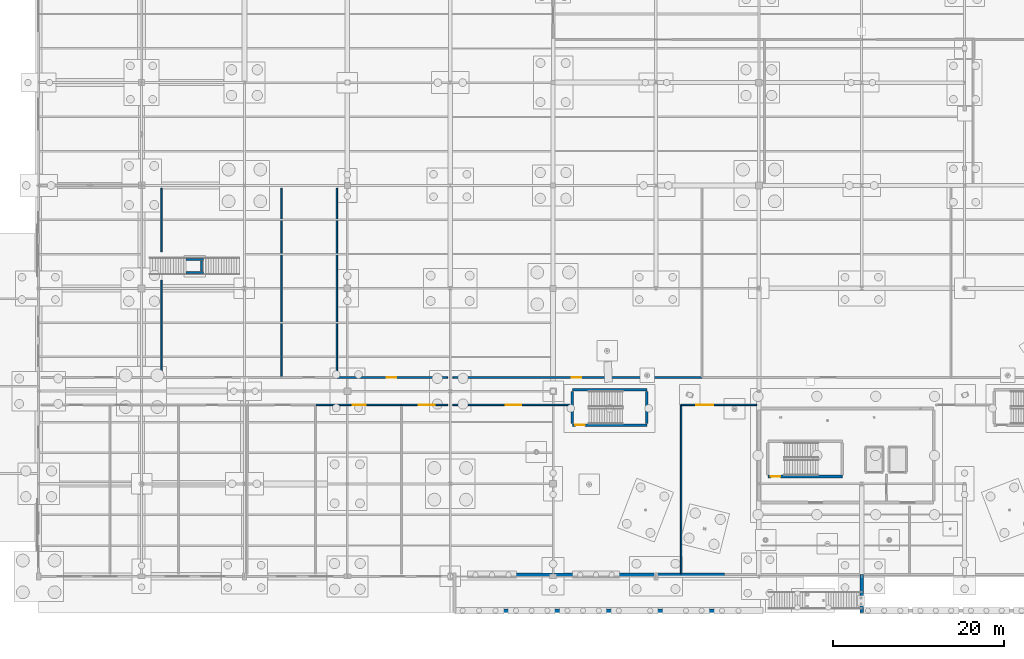
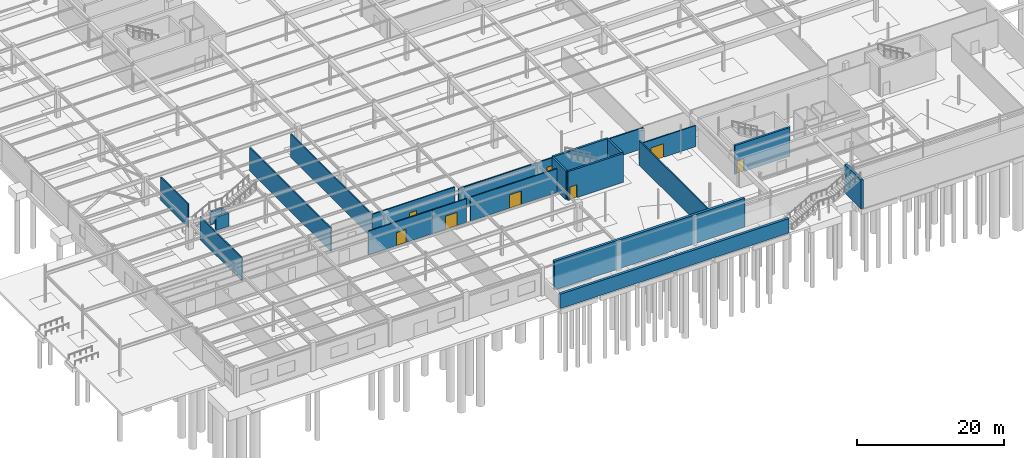
# One storey, part 119 of 136: 22 walls, 8 doors, 8 openings.
"""IFC4 building model written with IfcOpenShell, lengths in metres."""

from ifc_helpers import new_model, si_unit, direction, frame, frame_2d, origin, place, context, subcontext, project, spatial, rectangle, extrude, material, layer, layer_set, type_object, element, fill, save


model = new_model("IFC4")

# Units and contexts
model_context = context("Model", 3, precision=1e-05, world=origin(), true_north=direction((0.0, 1.0)))
body_context = subcontext(model_context, "Body", "Model", "MODEL_VIEW")
ifc_project = project(units=[si_unit("LENGTHUNIT", "METRE"), si_unit("AREAUNIT", "SQUARE_METRE"), si_unit("VOLUMEUNIT", "CUBIC_METRE"), si_unit("PLANEANGLEUNIT", "RADIAN"), si_unit("MASSUNIT", "GRAM", prefix="KILO")], contexts=[model_context])

# Site, building, storey
site_placement = place(None, origin())
site = spatial("IfcSite", under=ifc_project, at=site_placement, CompositionType="ELEMENT")
building_placement = place(site_placement, origin())
building = spatial("IfcBuilding", under=site, at=building_placement, Name="Tarnwether General Hospital", CompositionType="ELEMENT")
storey_placement = place(building_placement, frame((0.0, 0.0, -4.800048828125)))
storey = spatial("IfcBuildingStorey", under=building, at=storey_placement, Name="LG", CompositionType="ELEMENT", Elevation=-4.800048828125)

# Wall, opening, door
ifc_material_1 = material(Name="Gypsum plasterboard")
ifc_layer_1 = layer(ifc_material_1, 0.179931640625)
ifc_layer_set_1 = layer_set([ifc_layer_1], Name="Gypsum plasterboard")
wall_type_1 = type_object("IfcWallType", Name="WL-PT180", PredefinedType="PARTITIONING", material=ifc_layer_set_1)
wall_1_placement = place(storey_placement, frame((32.300048828125, 20.0, 0.0), z_axis=(0.0, 0.0, 1.0), x_axis=(1.0, 0.0, 0.0)))
wall_1 = element("IfcWall", 1, at=wall_1_placement, inside=storey, type_object=wall_type_1, Name="Interior Partition PT-LG-0009", PredefinedType="PARTITIONING", context=body_context, shape_type="SweptSolid", body=[
    extrude(rectangle(XDim=10.0, YDim=0.179931640625, at=frame_2d((5.0, 0.0))), origin(), (0.0, 0.0, 1.0), 3.955078125),
])
opening_1_placement = place(wall_1_placement, frame((4.35009765625, 0.0, 0.0)))
opening_1 = element("IfcOpeningElement", 2, at=opening_1_placement, cuts=wall_1, Name="Opening FD-02", PredefinedType="OPENING", context=body_context, shape_type="SweptSolid", body=[
    extrude(rectangle(XDim=1.52001953125, YDim=2.159912109375, at=frame_2d((0.760009765625, 1.080078125))), frame((0.0, 0.10009765625, 0.0), z_axis=(0.0, -1.0, 0.0), x_axis=(1.0, 0.0, 0.0)), (0.0, 0.0, 1.0), 0.199951171875),
])
ifc_material_2 = material(Name="Anodised aluminium", Category="aluminium")
door_type_1 = type_object("IfcDoorType", Name="DR-FD02", OperationType="NOTDEFINED", PredefinedType="DOOR", material=ifc_material_2)
door_1_placement = place(opening_1_placement, origin())
door_1 = element("IfcDoor", 3, at=door_1_placement, inside=storey, type_object=door_type_1, Name="Interior Door DR-LG-0005", OperationType="SINGLE_SWING_LEFT", OverallHeight=2.159912109375, OverallWidth=1.52001953125, PredefinedType="DOOR", context=body_context, shape_type="SweptSolid", body=[
    extrude(rectangle(XDim=1.52001953125, YDim=2.159912109375, at=frame_2d((0.760009765625, 1.080078125))), frame((0.0, 0.02490234375, 0.0), z_axis=(0.0, -1.0, 0.0), x_axis=(1.0, 0.0, 0.0)), (0.0, 0.0, 1.0), 0.050048828125),
])
fill(opening_1, door_1)

wall_2_placement = place(storey_placement, frame((42.300048828125, 20.0, 0.0), z_axis=(0.0, 0.0, 1.0), x_axis=(1.0, 0.0, 0.0)))
wall_2 = element("IfcWall", 4, at=wall_2_placement, inside=storey, type_object=wall_type_1, Name="Interior Partition PT-LG-0011", PredefinedType="PARTITIONING", context=body_context, shape_type="SweptSolid", body=[
    extrude(rectangle(XDim=5.39990234375, YDim=0.179931640625, at=frame_2d((2.699951171875, 0.0))), origin(), (0.0, 0.0, 1.0), 3.9580078125),
])
opening_2_placement = place(wall_2_placement, frame((2.050048828125, 0.0, 0.0)))
opening_2 = element("IfcOpeningElement", 5, at=opening_2_placement, cuts=wall_2, Name="Opening FD-03", PredefinedType="OPENING", context=body_context, shape_type="SweptSolid", body=[
    extrude(rectangle(XDim=1.840087890625, YDim=2.219970703125, at=frame_2d((0.919921875, 1.10986328125))), frame((0.0, 0.10009765625, 0.0), z_axis=(0.0, -1.0, 0.0), x_axis=(1.0, 0.0, 0.0)), (0.0, 0.0, 1.0), 0.199951171875),
])
ifc_material_3 = material(Name="Anodised aluminium", Category="aluminium")
door_type_2 = type_object("IfcDoorType", Name="DR-FD03", OperationType="NOTDEFINED", PredefinedType="DOOR", material=ifc_material_3)
door_2_placement = place(opening_2_placement, origin())
door_2 = element("IfcDoor", 6, at=door_2_placement, inside=storey, type_object=door_type_2, Name="Interior Door DR-LG-0006", OperationType="DOUBLE_DOOR_SINGLE_SWING", OverallHeight=2.219970703125, OverallWidth=1.840087890625, PredefinedType="DOOR", context=body_context, shape_type="SweptSolid", body=[
    extrude(rectangle(XDim=1.840087890625, YDim=2.219970703125, at=frame_2d((0.919921875, 1.10986328125))), frame((0.0, 0.02490234375, 0.0), z_axis=(0.0, -1.0, 0.0), x_axis=(1.0, 0.0, 0.0)), (0.0, 0.0, 1.0), 0.050048828125),
])
fill(opening_2, door_2)

# Walls
wall_3_placement = place(storey_placement, frame((14.304931640625, 23.199951171875, 0.0), z_axis=(0.0, 0.0, 1.0), x_axis=(0.0, 1.0, 0.0)))
element("IfcWall", 7, at=wall_3_placement, inside=storey, type_object=wall_type_1, Name="Interior Partition PT-LG-0013", PredefinedType="PARTITIONING", context=body_context, shape_type="SweptSolid", body=[
    extrude(rectangle(XDim=11.35009765625, YDim=0.179931640625, at=frame_2d((5.675048828125, 0.0))), origin(), (0.0, 0.0, 1.0), 3.81298828125),
])
wall_4_placement = place(storey_placement, frame((14.304931640625, 37.85009765625, 0.0), z_axis=(0.0, 0.0, 1.0), x_axis=(0.0, 1.0, 0.0)))
element("IfcWall", 8, at=wall_4_placement, inside=storey, type_object=wall_type_1, Name="Interior Partition PT-LG-0014", PredefinedType="PARTITIONING", context=body_context, shape_type="SweptSolid", body=[
    extrude(rectangle(XDim=7.449951171875, YDim=0.179931640625, at=frame_2d((3.72509765625, 0.0))), origin(), (0.0, 0.0, 1.0), 3.882080078125),
])
for number, where, z_axis, x_axis, name in (
    (9, (28.30908203125, 23.199951171875, 0.0), (0.0, 0.0, 1.0), (0.0, 1.0, 0.0), "Interior Partition PT-LG-0016"),
    (10, (34.77294921875, 23.199951171875, 0.0), (0.0, 0.0, 1.0), (0.0, 1.0, 0.0), "Interior Partition PT-LG-0018"),
):
    element("IfcWall", number, at=place(storey_placement, frame(where, z_axis=z_axis, x_axis=x_axis)), inside=storey, type_object=wall_type_1, Name=name, PredefinedType="PARTITIONING", context=body_context, shape_type="SweptSolid", body=[
        extrude(rectangle(XDim=22.10009765625, YDim=0.179931640625, at=frame_2d((11.050048828125, 0.0))), origin(), (0.0, 0.0, 1.0), 3.882080078125),
    ])

# Wall, opening, door
wall_5_placement = place(storey_placement, frame((34.77294921875, 23.199951171875, 0.0), z_axis=(0.0, 0.0, 1.0), x_axis=(1.0, 0.0, 0.0)))
wall_5 = element("IfcWall", 11, at=wall_5_placement, inside=storey, type_object=wall_type_1, Name="Interior Partition PT-LG-0019", PredefinedType="PARTITIONING", context=body_context, shape_type="SweptSolid", body=[
    extrude(rectangle(XDim=12.927001953125, YDim=0.179931640625, at=frame_2d((6.46337890625, 0.0))), origin(), (0.0, 0.0, 1.0), 3.9580078125),
])
opening_3_placement = place(wall_5_placement, frame((5.81396484375, 0.0, 0.0)))
opening_3 = element("IfcOpeningElement", 12, at=opening_3_placement, cuts=wall_5, Name="Opening FD-06", PredefinedType="OPENING", context=body_context, shape_type="SweptSolid", body=[
    extrude(rectangle(XDim=1.10009765625, YDim=2.14990234375, at=frame_2d((0.550048828125, 1.074951171875))), frame((0.0, 0.10009765625, 0.0), z_axis=(0.0, -1.0, 0.0), x_axis=(1.0, 0.0, 0.0)), (0.0, 0.0, 1.0), 0.199951171875),
])
ifc_material_4 = material(Name="Anodised aluminium", Category="aluminium")
door_type_3 = type_object("IfcDoorType", Name="DR-FD06", OperationType="NOTDEFINED", PredefinedType="DOOR", material=ifc_material_4)
door_3_placement = place(opening_3_placement, origin())
door_3 = element("IfcDoor", 13, at=door_3_placement, inside=storey, type_object=door_type_3, Name="Interior Door DR-LG-0010", OperationType="SINGLE_SWING_RIGHT", OverallHeight=2.14990234375, OverallWidth=1.10009765625, PredefinedType="DOOR", context=body_context, shape_type="SweptSolid", body=[
    extrude(rectangle(XDim=1.10009765625, YDim=2.14990234375, at=frame_2d((0.550048828125, 1.074951171875))), frame((0.0, 0.02490234375, 0.0), z_axis=(0.0, -1.0, 0.0), x_axis=(1.0, 0.0, 0.0)), (0.0, 0.0, 1.0), 0.050048828125),
])
fill(opening_3, door_3)

wall_6_placement = place(storey_placement, frame((48.300048828125, 20.0, 0.0), z_axis=(0.0, 0.0, 1.0), x_axis=(1.0, 0.0, 0.0)))
wall_6 = element("IfcWall", 14, at=wall_6_placement, inside=storey, type_object=wall_type_1, Name="Interior Partition PT-LG-0031", PredefinedType="PARTITIONING", context=body_context, shape_type="SweptSolid", body=[
    extrude(rectangle(XDim=13.64990234375, YDim=0.179931640625, at=frame_2d((6.824951171875, 0.0))), origin(), (0.0, 0.0, 1.0), 3.9580078125),
])
opening_4_placement = place(wall_6_placement, frame((6.175048828125, 0.0, 0.0)))
opening_4 = element("IfcOpeningElement", 15, at=opening_4_placement, cuts=wall_6, Name="Opening FD-03", PredefinedType="OPENING", context=body_context, shape_type="SweptSolid", body=[
    extrude(rectangle(XDim=1.840087890625, YDim=2.219970703125, at=frame_2d((0.919921875, 1.10986328125))), frame((0.0, 0.10009765625, 0.0), z_axis=(0.0, -1.0, 0.0), x_axis=(1.0, 0.0, 0.0)), (0.0, 0.0, 1.0), 0.199951171875),
])
door_4_placement = place(opening_4_placement, origin())
door_4 = element("IfcDoor", 16, at=door_4_placement, inside=storey, type_object=door_type_2, Name="Interior Door DR-LG-0018", OperationType="DOUBLE_DOOR_SINGLE_SWING", OverallHeight=2.219970703125, OverallWidth=1.840087890625, PredefinedType="DOOR", context=body_context, shape_type="SweptSolid", body=[
    extrude(rectangle(XDim=1.840087890625, YDim=2.219970703125, at=frame_2d((0.919921875, 1.10986328125))), frame((0.0, 0.02490234375, 0.0), z_axis=(0.0, -1.0, 0.0), x_axis=(1.0, 0.0, 0.0)), (0.0, 0.0, 1.0), 0.050048828125),
])
fill(opening_4, door_4)

# Wall
wall_7_placement = place(storey_placement, frame((74.94189453125, 0.300048828125, 0.0), z_axis=(0.0, 0.0, 1.0), x_axis=(0.0, 1.0, 0.0)))
element("IfcWall", 17, at=wall_7_placement, inside=storey, type_object=wall_type_1, Name="Interior Partition PT-LG-0032", PredefinedType="PARTITIONING", context=body_context, shape_type="SweptSolid", body=[
    extrude(rectangle(XDim=19.699951171875, YDim=0.179931640625, at=frame_2d((9.85009765625, 0.0))), origin(), (0.0, 0.0, 1.0), 4.06494140625),
])

# Wall, opening, door
wall_8_placement = place(storey_placement, frame((74.94189453125, 20.0, 0.0), z_axis=(0.0, 0.0, 1.0), x_axis=(1.0, 0.0, 0.0)))
wall_8 = element("IfcWall", 18, at=wall_8_placement, inside=storey, type_object=wall_type_1, Name="Interior Partition PT-LG-0033", PredefinedType="PARTITIONING", context=body_context, shape_type="SweptSolid", body=[
    extrude(rectangle(XDim=8.80810546875, YDim=0.179931640625, at=frame_2d((4.404052734375, 0.0))), origin(), (0.0, 0.0, 1.0), 3.51513671875),
])
opening_5_placement = place(wall_8_placement, frame((1.77587890625, 0.0, 0.0)))
opening_5 = element("IfcOpeningElement", 19, at=opening_5_placement, cuts=wall_8, Name="Opening FD-04", PredefinedType="OPENING", context=body_context, shape_type="SweptSolid", body=[
    extrude(rectangle(XDim=1.97998046875, YDim=2.260009765625, at=frame_2d((0.989990234375, 1.1298828125))), frame((0.0, 0.10009765625, 0.0), z_axis=(0.0, -1.0, 0.0), x_axis=(1.0, 0.0, 0.0)), (0.0, 0.0, 1.0), 0.199951171875),
])
ifc_material_5 = material(Name="Anodised aluminium", Category="aluminium")
door_type_4 = type_object("IfcDoorType", Name="DR-FD04", OperationType="NOTDEFINED", PredefinedType="DOOR", material=ifc_material_5)
door_5_placement = place(opening_5_placement, origin())
door_5 = element("IfcDoor", 20, at=door_5_placement, inside=storey, type_object=door_type_4, Name="Interior Door DR-LG-0019", OperationType="DOUBLE_DOOR_SINGLE_SWING", OverallHeight=2.260009765625, OverallWidth=1.97998046875, PredefinedType="DOOR", context=body_context, shape_type="SweptSolid", body=[
    extrude(rectangle(XDim=1.97998046875, YDim=2.260009765625, at=frame_2d((0.989990234375, 1.1298828125))), frame((0.0, 0.02490234375, 0.0), z_axis=(0.0, -1.0, 0.0), x_axis=(1.0, 0.0, 0.0)), (0.0, 0.0, 1.0), 0.050048828125),
])
fill(opening_5, door_5)

wall_9_placement = place(storey_placement, frame((48.300048828125, 23.199951171875, 0.0), z_axis=(0.0, 0.0, 1.0), x_axis=(1.0, 0.0, 0.0)))
wall_9 = element("IfcWall", 21, at=wall_9_placement, inside=storey, type_object=wall_type_1, Name="Interior Partition PT-LG-0038", PredefinedType="PARTITIONING", context=body_context, shape_type="SweptSolid", body=[
    extrude(rectangle(XDim=29.050048828125, YDim=0.179931640625, at=frame_2d((14.52490234375, 0.0))), origin(), (0.0, 0.0, 1.0), 3.465087890625),
])
opening_6_placement = place(wall_9_placement, frame((13.875, 0.0, 0.0)))
opening_6 = element("IfcOpeningElement", 22, at=opening_6_placement, cuts=wall_9, Name="Opening FD-06", PredefinedType="OPENING", context=body_context, shape_type="SweptSolid", body=[
    extrude(rectangle(XDim=1.10009765625, YDim=2.14990234375, at=frame_2d((0.550048828125, 1.074951171875))), frame((0.0, 0.10009765625, 0.0), z_axis=(0.0, -1.0, 0.0), x_axis=(1.0, 0.0, 0.0)), (0.0, 0.0, 1.0), 0.199951171875),
])
door_6_placement = place(opening_6_placement, origin())
door_6 = element("IfcDoor", 23, at=door_6_placement, inside=storey, type_object=door_type_3, Name="Interior Door DR-LG-0022", OperationType="SINGLE_SWING_RIGHT", OverallHeight=2.14990234375, OverallWidth=1.10009765625, PredefinedType="DOOR", context=body_context, shape_type="SweptSolid", body=[
    extrude(rectangle(XDim=1.10009765625, YDim=2.14990234375, at=frame_2d((0.550048828125, 1.074951171875))), frame((0.0, 0.02490234375, 0.0), z_axis=(0.0, -1.0, 0.0), x_axis=(1.0, 0.0, 0.0)), (0.0, 0.0, 1.0), 0.050048828125),
])
fill(opening_6, door_6)

# Walls
ifc_material_6 = material(Name="Concrete 40 MPa", Category="concrete")
ifc_layer_2 = layer(ifc_material_6, 0.39990234375)
ifc_layer_set_2 = layer_set([ifc_layer_2], Name="Concrete 40 MPa")
wall_type_2 = type_object("IfcWallType", Name="WL-RW400", PredefinedType="USERDEFINED", material=ifc_layer_set_2)
wall_10_placement = place(storey_placement, frame((50.0, 0.199951171875, 0.0), z_axis=(0.0, 0.0, 1.0), x_axis=(1.0, 0.0, 0.0)))
element("IfcWall", 24, at=wall_10_placement, inside=storey, type_object=wall_type_2, Name="Scarp Retaining Wall RW-SOUTH", ObjectType="RETAINING", PredefinedType="USERDEFINED", context=body_context, shape_type="SweptSolid", body=[
    extrude(rectangle(XDim=30.0, YDim=0.39990234375, at=frame_2d((15.0, 0.0))), origin(), (0.0, 0.0, 1.0), 4.800048828125),
])
wall_11_placement = place(storey_placement, frame((96.0, -4.199951171875, 0.0), z_axis=(0.0, 0.0, 1.0), x_axis=(0.0, 1.0, 0.0)))
element("IfcWall", 25, at=wall_11_placement, inside=storey, type_object=wall_type_2, Name="Scarp Retaining Wall RW-STEP96-S", ObjectType="RETAINING", PredefinedType="USERDEFINED", context=body_context, shape_type="SweptSolid", body=[
    extrude(rectangle(XDim=4.39990234375, YDim=0.39990234375, at=frame_2d((2.199951171875, 0.0))), origin(), (0.0, 0.0, 1.0), 4.800048828125),
])
wall_12_placement = place(storey_placement, frame((48.5, -4.0, 0.0), z_axis=(0.0, 0.0, 1.0), x_axis=(1.0, 0.0, 0.0)))
element("IfcWall", 26, at=wall_12_placement, inside=storey, type_object=wall_type_2, Name="Scarp Retaining Wall RW-MID-S", ObjectType="RETAINING", PredefinedType="USERDEFINED", context=body_context, shape_type="SweptSolid", body=[
    extrude(rectangle(XDim=36.0, YDim=0.39990234375, at=frame_2d((18.0, 0.0))), origin(), (0.0, 0.0, 1.0), 2.400146484375),
])
ifc_material_7 = material(Name="Concrete 50 MPa", Category="concrete")
ifc_layer_3 = layer(ifc_material_7, 0.25)
ifc_layer_set_3 = layer_set([ifc_layer_3], Name="Concrete 50 MPa")
wall_type_3 = type_object("IfcWallType", Name="WL-SW250", PredefinedType="SHEAR", material=ifc_layer_set_3)
for number, where, z_axis, x_axis, name in (
    (27, (17.199951171875, 35.449951171875, 0.0), (0.0, 0.0, 1.0), (1.0, 0.0, 0.0), "Feature Stair Support Fin Wall ST-15 L"),
    (28, (17.199951171875, 36.949951171875, 0.0), (0.0, 0.0, 1.0), (1.0, 0.0, 0.0), "Feature Stair Support Fin Wall ST-15 R"),
):
    element("IfcWall", number, at=place(storey_placement, frame(where, z_axis=z_axis, x_axis=x_axis)), inside=storey, type_object=wall_type_3, Name=name, PredefinedType="SHEAR", context=body_context, shape_type="SweptSolid", body=[
        extrude(rectangle(XDim=2.0, YDim=0.25, at=frame_2d((1.0, 0.0))), origin(), (0.0, 0.0, 1.0), 2.199951171875),
    ])
wall_13_placement = place(storey_placement, frame((19.0, 35.60009765625, 0.0), z_axis=(0.0, 0.0, 1.0), x_axis=(0.0, 1.0, 0.0)))
element("IfcWall", 29, at=wall_13_placement, inside=storey, type_object=wall_type_3, Name="Feature Stair Support Fin Wall ST-15 M", PredefinedType="SHEAR", context=body_context, shape_type="SweptSolid", body=[
    extrude(rectangle(XDim=1.199951171875, YDim=0.25, at=frame_2d((0.60009765625, 0.0))), origin(), (0.0, 0.0, 1.0), 2.199951171875),
])

# Wall, opening, door
ifc_material_8 = material(Name="Concrete 50 MPa", Category="concrete")
ifc_layer_4 = layer(ifc_material_8, 0.300048828125)
ifc_layer_set_4 = layer_set([ifc_layer_4], Name="Concrete 50 MPa")
wall_type_4 = type_object("IfcWallType", Name="WL-SW300", PredefinedType="SHEAR", material=ifc_layer_set_4)
wall_14_placement = place(storey_placement, frame((85.050048828125, 11.64990234375, 0.0), z_axis=(0.0, 0.0, 1.0), x_axis=(1.0, 0.0, 0.0)))
wall_14 = element("IfcWall", 30, at=wall_14_placement, inside=storey, type_object=wall_type_4, Name="Stairwell Shear Wall STW-ST-02-LG-B", PredefinedType="SHEAR", context=body_context, shape_type="SweptSolid", body=[
    extrude(rectangle(XDim=8.699951171875, YDim=0.300048828125, at=frame_2d((4.35009765625, 0.0))), origin(), (0.0, 0.0, 1.0), 4.800048828125),
])
opening_7_placement = place(wall_14_placement, frame((0.35009765625, 0.0, 0.0)))
opening_7 = element("IfcOpeningElement", 31, at=opening_7_placement, cuts=wall_14, Name="Opening FD-06", PredefinedType="OPENING", context=body_context, shape_type="SweptSolid", body=[
    extrude(rectangle(XDim=1.10009765625, YDim=2.14990234375, at=frame_2d((0.550048828125, 1.074951171875))), frame((0.0, 0.16015625, 0.0), z_axis=(0.0, -1.0, 0.0), x_axis=(1.0, 0.0, 0.0)), (0.0, 0.0, 1.0), 0.320068359375),
])
door_7_placement = place(opening_7_placement, origin())
door_7 = element("IfcDoor", 32, at=door_7_placement, inside=storey, type_object=door_type_3, Name="Stairwell ST-02 Safe-Path Fire Door LG", OperationType="SINGLE_SWING_LEFT", OverallHeight=2.14990234375, OverallWidth=1.10009765625, PredefinedType="DOOR", context=body_context, shape_type="SweptSolid", body=[
    extrude(rectangle(XDim=1.10009765625, YDim=2.14990234375, at=frame_2d((0.550048828125, 1.074951171875))), frame((0.0, 0.02490234375, 0.0), z_axis=(0.0, -1.0, 0.0), x_axis=(1.0, 0.0, 0.0)), (0.0, 0.0, 1.0), 0.050048828125),
])
fill(opening_7, door_7)

wall_15_placement = place(storey_placement, frame((62.25, 17.64990234375, 0.0), z_axis=(0.0, 0.0, 1.0), x_axis=(1.0, 0.0, 0.0)))
wall_15 = element("IfcWall", 33, at=wall_15_placement, inside=storey, type_object=wall_type_4, Name="Stairwell Shear Wall STW-ST-09-LG-B", PredefinedType="SHEAR", context=body_context, shape_type="SweptSolid", body=[
    extrude(rectangle(XDim=8.699951171875, YDim=0.300048828125, at=frame_2d((4.35009765625, 0.0))), origin(), (0.0, 0.0, 1.0), 4.800048828125),
])
opening_8_placement = place(wall_15_placement, frame((0.35009765625, 0.0, 0.0)))
opening_8 = element("IfcOpeningElement", 34, at=opening_8_placement, cuts=wall_15, Name="Opening FD-06", PredefinedType="OPENING", context=body_context, shape_type="SweptSolid", body=[
    extrude(rectangle(XDim=1.10009765625, YDim=2.14990234375, at=frame_2d((0.550048828125, 1.074951171875))), frame((0.0, 0.16015625, 0.0), z_axis=(0.0, -1.0, 0.0), x_axis=(1.0, 0.0, 0.0)), (0.0, 0.0, 1.0), 0.320068359375),
])
door_8_placement = place(opening_8_placement, origin())
door_8 = element("IfcDoor", 35, at=door_8_placement, inside=storey, type_object=door_type_3, Name="Stairwell ST-09 Safe-Path Fire Door LG", OperationType="SINGLE_SWING_RIGHT", OverallHeight=2.14990234375, OverallWidth=1.10009765625, PredefinedType="DOOR", context=body_context, shape_type="SweptSolid", body=[
    extrude(rectangle(XDim=1.10009765625, YDim=2.14990234375, at=frame_2d((0.550048828125, 1.074951171875))), frame((0.0, 0.02490234375, 0.0), z_axis=(0.0, -1.0, 0.0), x_axis=(1.0, 0.0, 0.0)), (0.0, 0.0, 1.0), 0.050048828125),
])
fill(opening_8, door_8)

# Walls
wall_16_placement = place(storey_placement, frame((70.949951171875, 21.75, 0.0), z_axis=(0.0, 0.0, 1.0), x_axis=(-1.0, 0.0, 0.0)))
element("IfcWall", 36, at=wall_16_placement, inside=storey, type_object=wall_type_4, Name="Stairwell Shear Wall STW-ST-09-LG-N", PredefinedType="SHEAR", context=body_context, shape_type="SweptSolid", body=[
    extrude(rectangle(XDim=8.699951171875, YDim=0.300048828125, at=frame_2d((4.35009765625, 0.0))), origin(), (0.0, 0.0, 1.0), 4.800048828125),
])
for number, where, z_axis, x_axis, name in (
    (37, (62.25, 17.820068359375, 0.0), (0.0, 0.0, 1.0), (0.0, 1.0, 0.0), "Stairwell Shear Wall STW-ST-09-LG-L"),
    (38, (70.949951171875, 17.820068359375, 0.0), (0.0, 0.0, 1.0), (0.0, 1.0, 0.0), "Stairwell Shear Wall STW-ST-09-LG-F"),
):
    element("IfcWall", number, at=place(storey_placement, frame(where, z_axis=z_axis, x_axis=x_axis)), inside=storey, type_object=wall_type_4, Name=name, PredefinedType="SHEAR", context=body_context, shape_type="SweptSolid", body=[
        extrude(rectangle(XDim=3.760009765625, YDim=0.300048828125, at=frame_2d((1.8798828125, 0.0))), origin(), (0.0, 0.0, 1.0), 4.800048828125),
    ])

save(model, "model.ifc")
